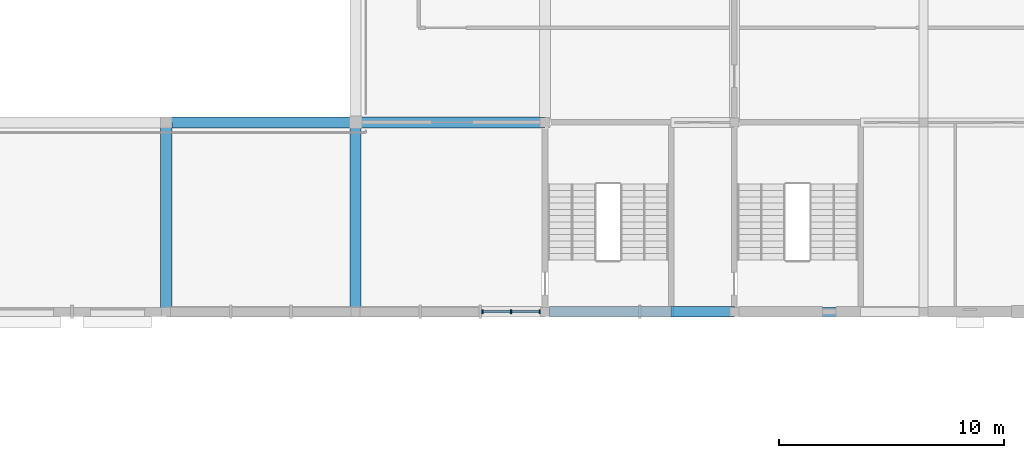
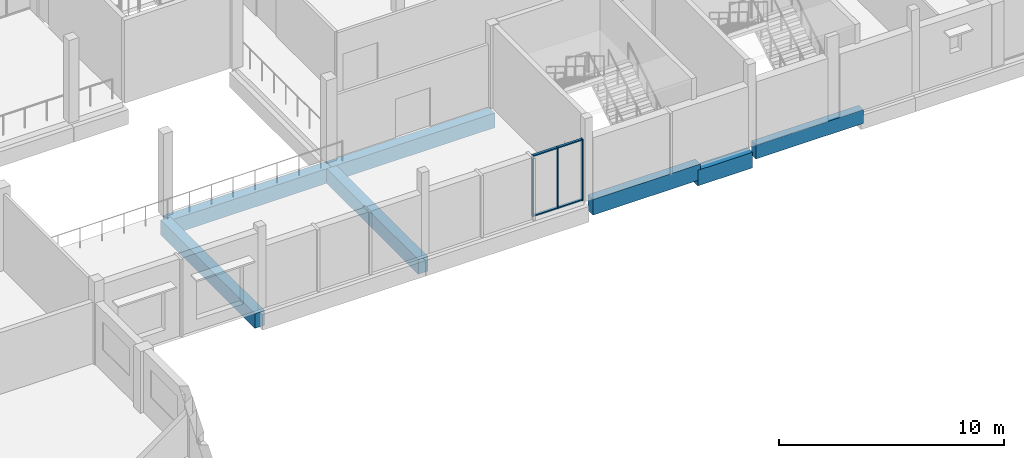
# One storey, part 41 of 116: 7 beams, 7 members, 1 element without a shape of its own.
"""IFC4 building model written with IfcOpenShell, lengths in metres."""

from ifc_helpers import new_model, si_unit, direction, frame, origin, origin_2d, place, context, subcontext, project, spatial, rectangle, extrude, material, material_profile, profile_set, type_object, element, aggregate, save


model = new_model("IFC4")

# Units and contexts
model_context = context("Model", 3, precision=1e-05, world=origin(), true_north=direction((0.0, 1.0)))
body_context = subcontext(model_context, "Body", "Model", "MODEL_VIEW")
ifc_project = project(units=[si_unit("LENGTHUNIT", "METRE"), si_unit("AREAUNIT", "SQUARE_METRE"), si_unit("VOLUMEUNIT", "CUBIC_METRE"), si_unit("PLANEANGLEUNIT", "RADIAN"), si_unit("MASSUNIT", "GRAM", prefix="KILO")], contexts=[model_context])

# Site, building, storey
site_placement = place(None, origin())
site = spatial("IfcSite", under=ifc_project, at=site_placement, CompositionType="ELEMENT")
building_placement = place(site_placement, origin())
building = spatial("IfcBuilding", under=site, at=building_placement, Name="Fescue Hill Polytechnic", CompositionType="ELEMENT")
storey_placement = place(building_placement, frame((0.0, 0.0, 13.5)))
storey = spatial("IfcBuildingStorey", under=building, at=storey_placement, Name="L03", CompositionType="ELEMENT", Elevation=13.5)

# Beams
ifc_material_1 = material(Name="Concrete 35 MPa", Category="concrete")
ifc_material_profile_1 = material_profile(ifc_material_1, rectangle(XDim=0.39990234375, YDim=0.75, at=origin_2d()), Name="RC 400x750")
ifc_profile_set_1 = profile_set([ifc_material_profile_1], Name="Concrete 35 MPa")
beam_type_1 = type_object("IfcBeamType", Name="Beam RC 400x750", PredefinedType="BEAM", material=ifc_profile_set_1)
beam_1_placement = place(storey_placement, frame((59.0, 109.199951171875, -0.375), z_axis=(1.0, 0.0, 0.0), x_axis=(0.0, 1.0, 0.0)))
element("IfcBeam", 1, at=beam_1_placement, inside=storey, type_object=beam_type_1, Name="BM-L03-0136", PredefinedType="BEAM", context=body_context, shape_type="SweptSolid", body=[
    extrude(rectangle(XDim=0.39990234375, YDim=0.75, at=origin_2d()), origin(), (0.0, 0.0, 1.0), 5.52490234375),
])
ifc_material_profile_2 = material_profile(ifc_material_1, rectangle(XDim=0.449951171875, YDim=0.85009765625, at=origin_2d()), Name="RC 450x850")
ifc_profile_set_2 = profile_set([ifc_material_profile_2], Name="Concrete 35 MPa")
beam_type_2 = type_object("IfcBeamType", Name="Beam RC 450x850", PredefinedType="BEAM", material=ifc_profile_set_2)
beam_2_placement = place(storey_placement, frame((56.0, 109.199951171875, -0.72509765625), z_axis=(1.0, 0.0, 0.0), x_axis=(0.0, 1.0, 0.0)))
element("IfcBeam", 2, at=beam_2_placement, inside=storey, type_object=beam_type_2, Name="BM-L03-0077", PredefinedType="BEAM", context=body_context, shape_type="SweptSolid", body=[
    extrude(rectangle(XDim=0.449951171875, YDim=0.85009765625, at=origin_2d()), origin(), (0.0, 0.0, 1.0), 2.800048828125),
])
beam_3_placement = place(storey_placement, frame((50.60009765625, 109.199951171875, -0.425048828125), z_axis=(1.0, 0.0, 0.0), x_axis=(0.0, 1.0, 0.0)))
element("IfcBeam", 3, at=beam_3_placement, inside=storey, type_object=beam_type_2, Name="BM-L03-0135", PredefinedType="BEAM", context=body_context, shape_type="SweptSolid", body=[
    extrude(rectangle(XDim=0.449951171875, YDim=0.85009765625, at=origin_2d()), origin(), (0.0, 0.0, 1.0), 5.52490234375),
])
ifc_material_profile_3 = material_profile(ifc_material_1, rectangle(XDim=0.5, YDim=0.800048828125, at=origin_2d()), Name="RC 500x800")
ifc_profile_set_3 = profile_set([ifc_material_profile_3], Name="Concrete 35 MPa")
beam_type_3 = type_object("IfcBeamType", Name="Beam RC 500x800", PredefinedType="BEAM", material=ifc_profile_set_3)
beam_4_placement = place(storey_placement, frame((33.60009765625, 109.199951171875, -0.699951171875), z_axis=(0.0, 1.0, 0.0), x_axis=(-1.0, 0.0, 0.0)))
element("IfcBeam", 4, at=beam_4_placement, inside=storey, type_object=beam_type_3, Name="BM-L03-0061", PredefinedType="BEAM", context=body_context, shape_type="SweptSolid", body=[
    extrude(rectangle(XDim=0.5, YDim=0.800048828125, at=origin_2d()), origin(), (0.0, 0.0, 1.0), 8.400146484375),
])
beam_5_placement = place(storey_placement, frame((33.610107421875, 117.60009765625, -0.699951171875), z_axis=(1.0, 0.0, 0.0), x_axis=(0.0, 1.0, 0.0)))
element("IfcBeam", 5, at=beam_5_placement, inside=storey, type_object=beam_type_3, Name="BM-L03-0064", PredefinedType="BEAM", context=body_context, shape_type="SweptSolid", body=[
    extrude(rectangle(XDim=0.5, YDim=0.800048828125, at=origin_2d()), origin(), (0.0, 0.0, 1.0), 8.3798828125),
])
beam_6_placement = place(storey_placement, frame((42.0, 109.199951171875, -0.699951171875), z_axis=(0.0, 1.0, 0.0), x_axis=(-1.0, 0.0, 0.0)))
element("IfcBeam", 6, at=beam_6_placement, inside=storey, type_object=beam_type_3, Name="BM-L03-0067", PredefinedType="BEAM", context=body_context, shape_type="SweptSolid", body=[
    extrude(rectangle(XDim=0.5, YDim=0.800048828125, at=origin_2d()), origin(), (0.0, 0.0, 1.0), 8.400146484375),
])
beam_7_placement = place(storey_placement, frame((42.010009765625, 117.60009765625, -0.699951171875), z_axis=(1.0, 0.0, 0.0), x_axis=(0.0, 1.0, 0.0)))
element("IfcBeam", 7, at=beam_7_placement, inside=storey, type_object=beam_type_3, Name="BM-L03-0071", PredefinedType="BEAM", context=body_context, shape_type="SweptSolid", body=[
    extrude(rectangle(XDim=0.5, YDim=0.800048828125, at=origin_2d()), origin(), (0.0, 0.0, 1.0), 8.389892578125),
])

# Curtain wall, members
ifc_material_2 = material(Name="Glass", Category="glass")
curtain_wall_type = type_object("IfcCurtainWallType", Name="Curtain wall structural glazing", PredefinedType="NOTDEFINED", material=ifc_material_2)
curtain_wall_placement = place(storey_placement, origin())
curtain_wall = element("IfcCurtainWall", 8, at=curtain_wall_placement, inside=storey, type_object=curtain_wall_type, Name="CW-L03-V5-X4", PredefinedType="NOTDEFINED")
ifc_material_3 = material(Name="Powder-coated aluminium", Category="aluminium")
ifc_material_profile_4 = material_profile(ifc_material_3, rectangle(XDim=0.159912109375, YDim=0.06005859375, at=origin_2d()), Name="Mullion aluminium 60x160")
ifc_profile_set_4 = profile_set([ifc_material_profile_4], Name="Powder-coated aluminium")
member_type_1 = type_object("IfcMemberType", Name="Mullion aluminium 60x160", PredefinedType="MULLION", material=ifc_profile_set_4)
member_1_placement = place(storey_placement, frame((47.623291015625, 109.199951171875, 0.0), z_axis=(0.0, 0.0, 1.0), x_axis=(0.0, 1.0, 0.0)))
member_1 = element("IfcMember", 9, at=member_1_placement, type_object=member_type_1, Name="CW164 mullion 1", PredefinedType="MULLION", context=body_context, shape_type="SweptSolid", body=[
    extrude(rectangle(XDim=0.159912109375, YDim=0.06005859375, at=origin_2d()), origin(), (0.0, 0.0, 1.0), 3.330078125),
])
member_2_placement = place(storey_placement, frame((48.896728515625, 109.199951171875, 0.0), z_axis=(0.0, 0.0, 1.0), x_axis=(0.0, 1.0, 0.0)))
member_2 = element("IfcMember", 10, at=member_2_placement, type_object=member_type_1, Name="CW164 mullion 2", PredefinedType="MULLION", context=body_context, shape_type="SweptSolid", body=[
    extrude(rectangle(XDim=0.159912109375, YDim=0.06005859375, at=origin_2d()), origin(), (0.0, 0.0, 1.0), 3.330078125),
])
member_3_placement = place(storey_placement, frame((50.169921875, 109.199951171875, 0.0), z_axis=(0.0, 0.0, 1.0), x_axis=(0.0, 1.0, 0.0)))
member_3 = element("IfcMember", 11, at=member_3_placement, type_object=member_type_1, Name="CW164 mullion 3", PredefinedType="MULLION", context=body_context, shape_type="SweptSolid", body=[
    extrude(rectangle(XDim=0.159912109375, YDim=0.06005859375, at=origin_2d()), origin(), (0.0, 0.0, 1.0), 3.330078125),
])
ifc_material_profile_5 = material_profile(ifc_material_3, rectangle(XDim=0.1201171875, YDim=0.06005859375, at=origin_2d()), Name="Transom aluminium 60x120")
ifc_profile_set_5 = profile_set([ifc_material_profile_5], Name="Powder-coated aluminium")
member_type_2 = type_object("IfcMemberType", Name="Transom aluminium 60x120", PredefinedType="USERDEFINED", material=ifc_profile_set_5)
member_4_placement = place(storey_placement, frame((47.6533203125, 109.199951171875, 0.030029296875), z_axis=(1.0, 0.0, 0.0), x_axis=(0.0, 1.0, 0.0)))
member_4 = element("IfcMember", 12, at=member_4_placement, type_object=member_type_2, Name="CW164 transom 1.1", ObjectType="TRANSOM", PredefinedType="USERDEFINED", context=body_context, shape_type="SweptSolid", body=[
    extrude(rectangle(XDim=0.1201171875, YDim=0.06005859375, at=origin_2d()), origin(), (0.0, 0.0, 1.0), 1.21337890625),
])
member_5_placement = place(storey_placement, frame((47.6533203125, 109.199951171875, 3.300048828125), z_axis=(1.0, 0.0, 0.0), x_axis=(0.0, 1.0, 0.0)))
member_5 = element("IfcMember", 13, at=member_5_placement, type_object=member_type_2, Name="CW164 transom 1.2", ObjectType="TRANSOM", PredefinedType="USERDEFINED", context=body_context, shape_type="SweptSolid", body=[
    extrude(rectangle(XDim=0.1201171875, YDim=0.06005859375, at=origin_2d()), origin(), (0.0, 0.0, 1.0), 1.21337890625),
])
member_6_placement = place(storey_placement, frame((48.9267578125, 109.199951171875, 0.030029296875), z_axis=(1.0, 0.0, 0.0), x_axis=(0.0, 1.0, 0.0)))
member_6 = element("IfcMember", 14, at=member_6_placement, type_object=member_type_2, Name="CW164 transom 2.1", ObjectType="TRANSOM", PredefinedType="USERDEFINED", context=body_context, shape_type="SweptSolid", body=[
    extrude(rectangle(XDim=0.1201171875, YDim=0.06005859375, at=origin_2d()), origin(), (0.0, 0.0, 1.0), 1.213134765625),
])
member_7_placement = place(storey_placement, frame((48.9267578125, 109.199951171875, 3.300048828125), z_axis=(1.0, 0.0, 0.0), x_axis=(0.0, 1.0, 0.0)))
member_7 = element("IfcMember", 15, at=member_7_placement, type_object=member_type_2, Name="CW164 transom 2.2", ObjectType="TRANSOM", PredefinedType="USERDEFINED", context=body_context, shape_type="SweptSolid", body=[
    extrude(rectangle(XDim=0.1201171875, YDim=0.06005859375, at=origin_2d()), origin(), (0.0, 0.0, 1.0), 1.213134765625),
])
aggregate(curtain_wall, [member_1, member_2, member_3, member_4, member_5, member_6, member_7])

save(model, "model.ifc")
